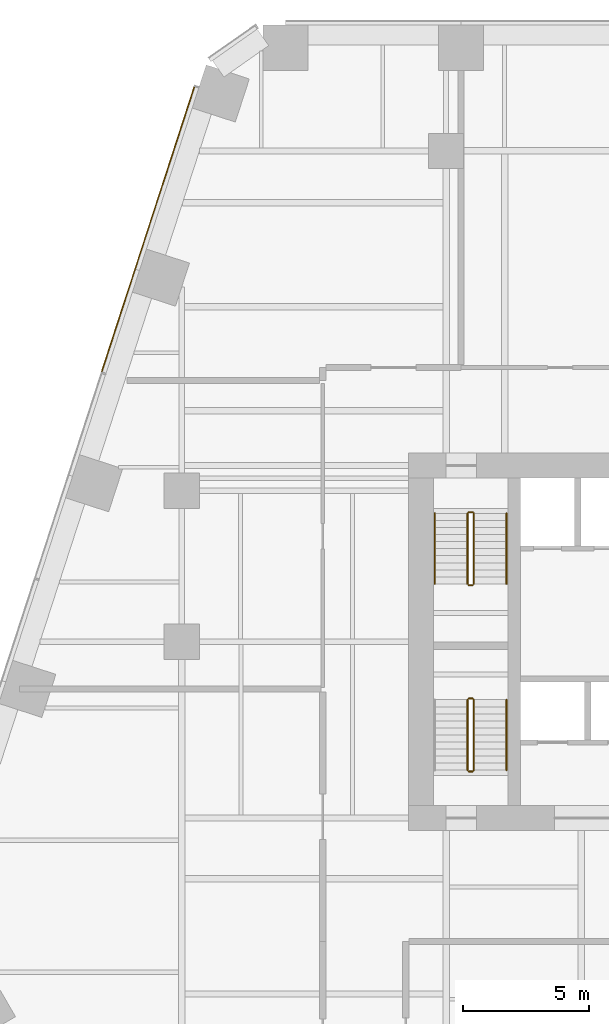
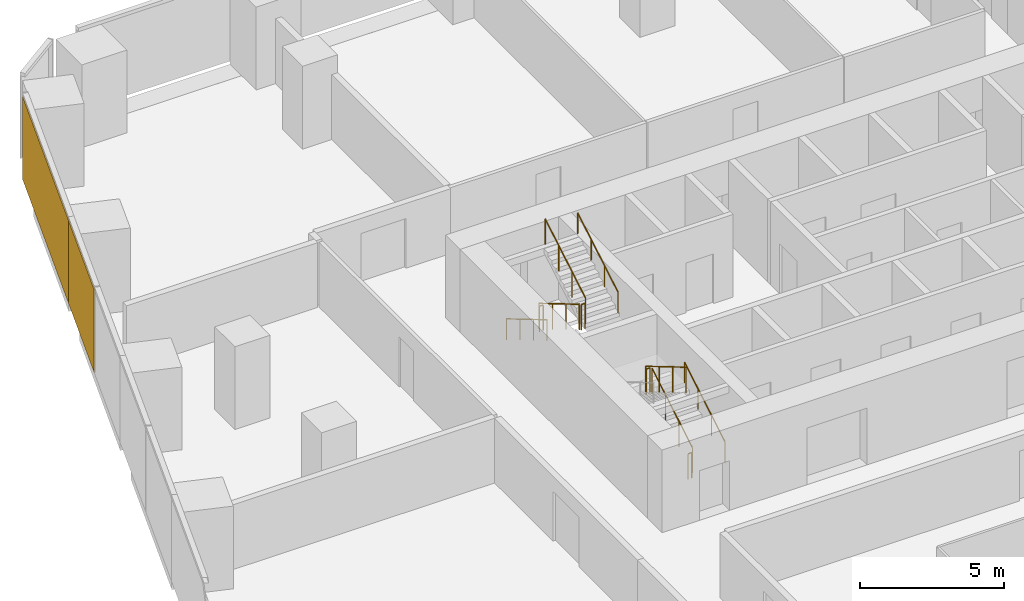
# One storey, part 18 of 20: 11 railings, 2 coverings, 1 element without a shape of its own.
"""IFC4 building model written with IfcOpenShell, lengths in metres."""

import ifcopenshell
import ifcopenshell.guid

model = None  # the IFC model being written
_history = None  # IfcOwnerHistory: only IFC2X3 demands one
_inside = {}  # id of a spatial element -> (the spatial element, [elements in it])
_under = {}  # id of a project, library or spatial element -> (it, [spatial elements below it])
_declared = {}  # id of a project -> (the project, [libraries it declares])
_typed = {}  # id of a type object -> (the type object, [elements of that type])
_made_of = {}  # id of a material, layer set ... -> (it, [elements and type objects made of it])


def new_model(schema):
    """Start an empty IFC model of exactly this schema.

    Asked for "IFC4X3", IfcOpenShell would pick the latest addendum, in which some entities
    have other attributes; the version numbers below select the first issue.
    IFC2X3 requires an IfcOwnerHistory on every rooted entity: one is made here for all.
    """
    global model, _history
    if schema == "IFC4X3":
        model = ifcopenshell.file(schema_version=(4, 3, 0, 0))
    else:
        model = ifcopenshell.file(schema=schema)
    _inside.clear()
    _under.clear()
    _declared.clear()
    _typed.clear()
    _made_of.clear()
    _history = None
    if model.schema == "IFC2X3":
        org = make("IfcOrganization", Name="unknown")
        user = make(
            "IfcPersonAndOrganization",
            ThePerson=make("IfcPerson", FamilyName="unknown"),
            TheOrganization=org,
        )
        app = make(
            "IfcApplication",
            ApplicationDeveloper=org,
            Version="unknown",
            ApplicationFullName="unknown",
            ApplicationIdentifier="unknown",
        )
        _history = make(
            "IfcOwnerHistory",
            OwningUser=user,
            OwningApplication=app,
            ChangeAction="ADDED",
            CreationDate=0,
        )
    return model


def make(cls, **values):
    """One entity of the class cls with the attributes given. An attribute that is None is left unset."""
    return model.create_entity(
        cls, **{name: value for name, value in values.items() if value is not None}
    )


def rooted(cls, **values):
    """An entity with a GlobalId (a new one), such as an element, a storey or a relation."""
    return make(cls, GlobalId=ifcopenshell.guid.new(), OwnerHistory=_history, **values)


def si_unit(unit_type, name, prefix=None):
    """IfcSIUnit, for example si_unit("LENGTHUNIT", "METRE", prefix="MILLI")."""
    return make("IfcSIUnit", UnitType=unit_type, Prefix=prefix, Name=name)


def assignment(units):
    """IfcUnitAssignment: the units of a project."""
    return None if units is None else make("IfcUnitAssignment", Units=units)


def point(xyz):
    """IfcCartesianPoint."""
    return None if xyz is None else make("IfcCartesianPoint", Coordinates=xyz)


def direction(xyz):
    """IfcDirection."""
    return None if xyz is None else make("IfcDirection", DirectionRatios=xyz)


def frame(location, z_axis=None, x_axis=None):
    """IfcAxis2Placement3D, a coordinate frame: its origin and axes. An axis left out is left unset."""
    return make(
        "IfcAxis2Placement3D",
        Location=point(location),
        Axis=direction(z_axis),
        RefDirection=direction(x_axis),
    )


def frame_2d(location, x_axis=None):
    """IfcAxis2Placement2D, a coordinate frame in the plane: its origin and x axis."""
    return make(
        "IfcAxis2Placement2D", Location=point(location), RefDirection=direction(x_axis)
    )


def origin():
    """The frame at (0, 0, 0) with its axes left unset."""
    return frame((0.0, 0.0, 0.0))


def origin_2d():
    """The frame at (0, 0) in the plane with its x axis left unset."""
    return frame_2d((0.0, 0.0))


def place(relative_to, where):
    """IfcLocalPlacement: puts the frame where relative to a parent placement (None: the world)."""
    return make(
        "IfcLocalPlacement", PlacementRelTo=relative_to, RelativePlacement=where
    )


def context(
    kind, dimensions, precision=None, world=None, true_north=None, identifier=None
):
    """IfcGeometricRepresentationContext, for example the 3D "Model" context."""
    return make(
        "IfcGeometricRepresentationContext",
        ContextIdentifier=identifier,
        ContextType=kind,
        CoordinateSpaceDimension=dimensions,
        Precision=precision,
        WorldCoordinateSystem=world,
        TrueNorth=true_north,
    )


def subcontext(parent, identifier, kind, view, scale=None):
    """IfcGeometricRepresentationSubContext, for example "Body" below "Model"."""
    return make(
        "IfcGeometricRepresentationSubContext",
        ContextIdentifier=identifier,
        ContextType=kind,
        ParentContext=parent,
        TargetScale=scale,
        TargetView=view,
    )


def project(units=None, contexts=None):
    """IfcProject with its units and contexts."""
    return rooted(
        "IfcProject",
        Name="project",
        RepresentationContexts=contexts,
        UnitsInContext=assignment(units),
    )


def spatial(cls, under=None, at=None, **own):
    """A site, building, storey or space (cls), placed at a placement, below another one or the project."""
    s = rooted(cls, ObjectPlacement=at, **own)
    if under is not None:
        _under.setdefault(under.id(), (under, []))[1].append(s)
    return s


def profile(cls, at=None, kind="AREA", **sizes):
    """A parametric profile (cls). Its sizes go by their IFC names, for example OverallWidth=200.0."""
    return make(cls, ProfileType=kind, Position=at, **sizes)


def rectangle(**sizes):
    """IfcRectangleProfileDef."""
    return profile("IfcRectangleProfileDef", **sizes)


def circle(**sizes):
    """IfcCircleProfileDef."""
    return profile("IfcCircleProfileDef", **sizes)


def extrude(swept, where, along, depth):
    """IfcExtrudedAreaSolid: the profile swept, set in the frame where, extruded along a direction by depth."""
    return make(
        "IfcExtrudedAreaSolid",
        SweptArea=swept,
        Position=where,
        ExtrudedDirection=direction(along),
        Depth=depth,
    )


def shape(context_of_items, identifier, shape_type, items):
    """IfcShapeRepresentation: the items that make up one representation, for example the "Body"."""
    return make(
        "IfcShapeRepresentation",
        ContextOfItems=context_of_items,
        RepresentationIdentifier=identifier,
        RepresentationType=shape_type,
        Items=items,
    )


def material(Name=None, Category=None):
    """IfcMaterial."""
    return make("IfcMaterial", Name=Name, Category=Category)


def layer(
    of_material, thickness, ventilated=None, Name=None, Category=None, Priority=None
):
    """IfcMaterialLayer: one layer of a wall or slab, of a material (None: an air gap)."""
    return make(
        "IfcMaterialLayer",
        Material=of_material,
        LayerThickness=thickness,
        IsVentilated=ventilated,
        Name=Name,
        Category=Category,
        Priority=Priority,
    )


def layer_set(layers, Name=None):
    """IfcMaterialLayerSet."""
    return make("IfcMaterialLayerSet", MaterialLayers=layers, LayerSetName=Name)


def made_of(thing, what):
    """Note that an element or type object is made of a material, layer set ...; save() writes the relation."""
    if what is not None:
        _made_of.setdefault(what.id(), (what, []))[1].append(thing)
    return thing


def type_object(cls, material=None, **own):
    """A type object (cls), such as IfcWallType, which elements share."""
    return made_of(rooted(cls, **own), material)


def element(
    cls,
    number,
    at=None,
    inside=None,
    cuts=None,
    type_object=None,
    material=None,
    context=None,
    identifier="Body",
    shape_type=None,
    held_by="IfcProductDefinitionShape",
    body=None,
    shapes=None,
    **own,
):
    """One element of the class cls, such as IfcWall. Its Tag is "e" and its number.

    at: its placement. inside: the storey or other place that contains it. cuts: it is an
    opening in that element (IfcRelVoidsElement). A single representation is given by context,
    identifier, shape_type and body (its items); several are given by shapes. held_by: the class
    of the entity that holds the representations. save() writes the other relations.
    """
    e = rooted(cls, Tag="e%d" % number, ObjectPlacement=at, **own)
    if body is not None:
        shapes = [shape(context, identifier, shape_type, body)]
    if shapes is not None:
        e.Representation = make(held_by, Representations=shapes)
    if inside is not None:
        _inside.setdefault(inside.id(), (inside, []))[1].append(e)
    if cuts is not None:
        rooted(
            "IfcRelVoidsElement", RelatingBuildingElement=cuts, RelatedOpeningElement=e
        )
    if type_object is not None:
        _typed.setdefault(type_object.id(), (type_object, []))[1].append(e)
    return made_of(e, material)


def aggregate(whole, parts):
    """IfcRelAggregates: a whole, such as a stair, and the parts it consists of."""
    return rooted("IfcRelAggregates", RelatingObject=whole, RelatedObjects=parts)


def save(model, path):
    """Write the relations noted so far, then the file.

    IfcRelAggregates (storeys below a building ...), IfcRelContainedInSpatialStructure (elements
    in a storey), IfcRelDefinesByType, IfcRelAssociatesMaterial and IfcRelDeclares: one each for
    every whole, place, type object, material and project.
    """
    for whole, parts in _under.values():
        aggregate(whole, parts)
    for where, things in _inside.values():
        rooted(
            "IfcRelContainedInSpatialStructure",
            RelatedElements=things,
            RelatingStructure=where,
        )
    for kind, things in _typed.values():
        rooted("IfcRelDefinesByType", RelatedObjects=things, RelatingType=kind)
    for what, things in _made_of.values():
        rooted("IfcRelAssociatesMaterial", RelatedObjects=things, RelatingMaterial=what)
    for by, libraries in _declared.values():
        rooted("IfcRelDeclares", RelatingContext=by, RelatedDefinitions=libraries)
    model.write(path)


model = new_model("IFC4")

# Units and contexts
model_context = context("Model", 3, precision=1e-05, world=origin(), true_north=direction((0.0, 1.0)))
body_context = subcontext(model_context, "Body", "Model", "MODEL_VIEW")
ifc_project = project(units=[si_unit("LENGTHUNIT", "METRE"), si_unit("AREAUNIT", "SQUARE_METRE"), si_unit("VOLUMEUNIT", "CUBIC_METRE"), si_unit("PLANEANGLEUNIT", "RADIAN"), si_unit("MASSUNIT", "GRAM", prefix="KILO")], contexts=[model_context])

# Site, building, storey
site_placement = place(None, origin())
site = spatial("IfcSite", under=ifc_project, at=site_placement, CompositionType="ELEMENT")
building_placement = place(site_placement, origin())
building = spatial("IfcBuilding", under=site, at=building_placement, Name="Isthmus Gate Tower", CompositionType="ELEMENT")
storey_placement = place(building_placement, frame((0.0, 0.0, 43.300048828125)))
storey = spatial("IfcBuildingStorey", under=building, at=storey_placement, Name="L08", CompositionType="ELEMENT", Elevation=43.300048828125)

# Curtain wall, coverings
ifc_material_1 = material(Name="Aluminium, pale champagne anodised", Category="aluminium")
ifc_layer_1 = layer(ifc_material_1, 0.199951171875)
ifc_layer_set_1 = layer_set([ifc_layer_1], Name="CW-1 UNITISED CURTAIN WALL 200 DEEP")
curtain_wall_type = type_object("IfcCurtainWallType", Name="CW-1 UNITISED CURTAIN WALL 200 DEEP", PredefinedType="NOTDEFINED", material=ifc_layer_set_1)
curtain_wall_placement = place(storey_placement, origin())
curtain_wall = element("IfcCurtainWall", 1, at=curtain_wall_placement, inside=storey, type_object=curtain_wall_type, Name="CW-1 NW L08", PredefinedType="NOTDEFINED")
ifc_material_2 = material(Name="Aluminium composite panel, pale champagne anodised", Category="aluminium")
ifc_layer_2 = layer(ifc_material_2, 0.0400390625)
ifc_layer_set_2 = layer_set([ifc_layer_2], Name="CW-1 PALE METAL PANEL 40")
covering_type = type_object("IfcCoveringType", Name="CW-1 PALE METAL PANEL 40", PredefinedType="CLADDING", material=ifc_layer_set_2)
covering_1_placement = place(storey_placement, frame((-24.67578125, 25.9296875, 0.0), z_axis=(0.0, 0.0, 1.0), x_axis=(-0.309016994375, -0.951056516295, 0.0)))
covering_1 = element("IfcCovering", 2, at=covering_1_placement, type_object=covering_type, Name="CW-1 pale metal panel", PredefinedType="CLADDING", context=body_context, shape_type="SweptSolid", body=[
    extrude(rectangle(XDim=7.62939453125, YDim=0.0400390625, at=origin_2d()), origin(), (0.0, 0.0, 1.0), 3.5),
])
covering_2_placement = place(storey_placement, frame((-26.51806640625, 20.25927734375, 0.0), z_axis=(0.0, 0.0, 1.0), x_axis=(-0.309016994375, -0.951056516295, 0.0)))
covering_2 = element("IfcCovering", 3, at=covering_2_placement, type_object=covering_type, Name="CW-1 pale metal panel", PredefinedType="CLADDING", context=body_context, shape_type="SweptSolid", body=[
    extrude(rectangle(XDim=4.294677734375, YDim=0.0400390625, at=origin_2d()), origin(), (0.0, 0.0, 1.0), 3.5),
])
aggregate(curtain_wall, [covering_1, covering_2])

# Railings
ifc_material_3 = material(Name="Stainless steel balustrade", Category="steel")
railing_type_1 = type_object("IfcRailingType", Name="STAIR GUARD 1100", PredefinedType="GUARDRAIL", material=ifc_material_3)
railing_1_placement = place(storey_placement, frame((-12.64990234375, 12.60009765625, 0.165771484375)))
element("IfcRailing", 4, at=railing_1_placement, inside=storey, type_object=railing_type_1, Name="L08 ST1 stair guard 1", PredefinedType="GUARDRAIL", context=body_context, shape_type="SweptSolid", body=[
    extrude(circle(Radius=0.02392578125, at=origin_2d()), frame((0.0, 0.0, 1.076171875), z_axis=(0.0, -0.860306154799, 0.50977771628), x_axis=(1.0, 0.0, 0.0)), (0.0, 0.0, 1.0), 3.254638671875),
    extrude(circle(Radius=0.02099609375, at=origin_2d()), origin(), (0.0, 0.0, 1.0), 1.052001953125),
    extrude(circle(Radius=0.02099609375, at=origin_2d()), frame((0.0, -0.933349609375, 0.552978515625)), (0.0, 0.0, 1.0), 1.052001953125),
    extrude(circle(Radius=0.02099609375, at=origin_2d()), frame((0.0, -1.86669921875, 1.106201171875)), (0.0, 0.0, 1.0), 1.052001953125),
    extrude(circle(Radius=0.02099609375, at=origin_2d()), frame((0.0, -2.800048828125, 1.6591796875)), (0.0, 0.0, 1.0), 1.052001953125),
])
railing_2_placement = place(storey_placement, frame((-12.60009765625, 9.75, 1.824951171875)))
element("IfcRailing", 5, at=railing_2_placement, inside=storey, type_object=railing_type_1, Name="L08 ST1 stair guard 2", PredefinedType="GUARDRAIL", context=body_context, shape_type="SweptSolid", body=[
    extrude(circle(Radius=0.02392578125, at=origin_2d()), frame((0.0, 0.0, 1.076171875), z_axis=(1.0, 0.0, 0.0), x_axis=(0.0, 1.0, 0.0)), (0.0, 0.0, 1.0), 0.150146484375),
    extrude(circle(Radius=0.02099609375, at=origin_2d()), origin(), (0.0, 0.0, 1.0), 1.052001953125),
    extrude(circle(Radius=0.02099609375, at=origin_2d()), frame((0.150146484375, 0.0, 0.0)), (0.0, 0.0, 1.0), 1.052001953125),
])
railing_3_placement = place(storey_placement, frame((-12.39990234375, 9.800048828125, 1.990966796875)))
element("IfcRailing", 6, at=railing_3_placement, inside=storey, type_object=railing_type_1, Name="L08 ST1 stair guard 3", PredefinedType="GUARDRAIL", context=body_context, shape_type="SweptSolid", body=[
    extrude(circle(Radius=0.02392578125, at=origin_2d()), frame((0.0, 0.0, 1.076171875), z_axis=(0.0, 0.860339051648, 0.50972219513), x_axis=(-1.0, 0.0, 0.0)), (0.0, 0.0, 1.0), 3.254638671875),
    extrude(circle(Radius=0.02099609375, at=origin_2d()), origin(), (0.0, 0.0, 1.0), 1.052001953125),
    extrude(circle(Radius=0.02099609375, at=origin_2d()), frame((0.0, 0.933349609375, 0.552978515625)), (0.0, 0.0, 1.0), 1.052001953125),
    extrude(circle(Radius=0.02099609375, at=origin_2d()), frame((0.0, 1.86669921875, 1.10595703125)), (0.0, 0.0, 1.0), 1.052001953125),
    extrude(circle(Radius=0.02099609375, at=origin_2d()), frame((0.0, 2.800048828125, 1.658935546875)), (0.0, 0.0, 1.0), 1.052001953125),
])
railing_4_placement = place(storey_placement, frame((-12.60009765625, 12.64990234375, 0.0)))
element("IfcRailing", 7, at=railing_4_placement, inside=storey, type_object=railing_type_1, Name="L08 ST1 stair guard 4", PredefinedType="GUARDRAIL", context=body_context, shape_type="SweptSolid", body=[
    extrude(circle(Radius=0.02392578125, at=origin_2d()), frame((0.0, 0.0, 1.076171875), z_axis=(1.0, 0.0, 0.0), x_axis=(0.0, 1.0, 0.0)), (0.0, 0.0, 1.0), 0.150146484375),
    extrude(circle(Radius=0.02099609375, at=origin_2d()), origin(), (0.0, 0.0, 1.0), 1.052001953125),
    extrude(circle(Radius=0.02099609375, at=origin_2d()), frame((0.150146484375, 0.0, 0.0)), (0.0, 0.0, 1.0), 1.052001953125),
])
railing_5_placement = place(storey_placement, frame((-12.39990234375, 2.39990234375, 0.165771484375)))
element("IfcRailing", 8, at=railing_5_placement, inside=storey, type_object=railing_type_1, Name="L08 ST7 stair guard 1", PredefinedType="GUARDRAIL", context=body_context, shape_type="SweptSolid", body=[
    extrude(circle(Radius=0.02392578125, at=origin_2d()), frame((0.0, 0.0, 1.076171875), z_axis=(0.0, 0.860306154799, 0.50977771628), x_axis=(-1.0, 0.0, 0.0)), (0.0, 0.0, 1.0), 3.254638671875),
    extrude(circle(Radius=0.02099609375, at=origin_2d()), origin(), (0.0, 0.0, 1.0), 1.052001953125),
    extrude(circle(Radius=0.02099609375, at=origin_2d()), frame((0.0, 0.933349609375, 0.552978515625)), (0.0, 0.0, 1.0), 1.052001953125),
    extrude(circle(Radius=0.02099609375, at=origin_2d()), frame((0.0, 1.86669921875, 1.106201171875)), (0.0, 0.0, 1.0), 1.052001953125),
    extrude(circle(Radius=0.02099609375, at=origin_2d()), frame((0.0, 2.800048828125, 1.6591796875)), (0.0, 0.0, 1.0), 1.052001953125),
])
railing_6_placement = place(storey_placement, frame((-12.449951171875, 5.25, 1.824951171875)))
element("IfcRailing", 9, at=railing_6_placement, inside=storey, type_object=railing_type_1, Name="L08 ST7 stair guard 2", PredefinedType="GUARDRAIL", context=body_context, shape_type="SweptSolid", body=[
    extrude(circle(Radius=0.02392578125, at=origin_2d()), frame((0.0, 0.0, 1.076171875), z_axis=(-1.0, 0.0, 0.0), x_axis=(0.0, -1.0, 0.0)), (0.0, 0.0, 1.0), 0.150146484375),
    extrude(circle(Radius=0.02099609375, at=origin_2d()), origin(), (0.0, 0.0, 1.0), 1.052001953125),
    extrude(circle(Radius=0.02099609375, at=origin_2d()), frame((-0.150146484375, 0.0, 0.0)), (0.0, 0.0, 1.0), 1.052001953125),
])
railing_7_placement = place(storey_placement, frame((-12.64990234375, 5.199951171875, 1.990966796875)))
element("IfcRailing", 10, at=railing_7_placement, inside=storey, type_object=railing_type_1, Name="L08 ST7 stair guard 3", PredefinedType="GUARDRAIL", context=body_context, shape_type="SweptSolid", body=[
    extrude(circle(Radius=0.02392578125, at=origin_2d()), frame((0.0, 0.0, 1.076171875), z_axis=(0.0, -0.860339051648, 0.50972219513), x_axis=(1.0, 0.0, 0.0)), (0.0, 0.0, 1.0), 3.254638671875),
    extrude(circle(Radius=0.02099609375, at=origin_2d()), origin(), (0.0, 0.0, 1.0), 1.052001953125),
    extrude(circle(Radius=0.02099609375, at=origin_2d()), frame((0.0, -0.933349609375, 0.552978515625)), (0.0, 0.0, 1.0), 1.052001953125),
    extrude(circle(Radius=0.02099609375, at=origin_2d()), frame((0.0, -1.86669921875, 1.10595703125)), (0.0, 0.0, 1.0), 1.052001953125),
    extrude(circle(Radius=0.02099609375, at=origin_2d()), frame((0.0, -2.800048828125, 1.658935546875)), (0.0, 0.0, 1.0), 1.052001953125),
])
railing_8_placement = place(storey_placement, frame((-12.449951171875, 2.35009765625, 0.0)))
element("IfcRailing", 11, at=railing_8_placement, inside=storey, type_object=railing_type_1, Name="L08 ST7 stair guard 4", PredefinedType="GUARDRAIL", context=body_context, shape_type="SweptSolid", body=[
    extrude(circle(Radius=0.02392578125, at=origin_2d()), frame((0.0, 0.0, 1.076171875), z_axis=(-1.0, 0.0, 0.0), x_axis=(0.0, -1.0, 0.0)), (0.0, 0.0, 1.0), 0.150146484375),
    extrude(circle(Radius=0.02099609375, at=origin_2d()), origin(), (0.0, 0.0, 1.0), 1.052001953125),
    extrude(circle(Radius=0.02099609375, at=origin_2d()), frame((-0.150146484375, 0.0, 0.0)), (0.0, 0.0, 1.0), 1.052001953125),
])
ifc_material_4 = material(Name="Stainless steel handrail", Category="steel")
railing_type_2 = type_object("IfcRailingType", Name="STAIR HANDRAIL 900", PredefinedType="HANDRAIL", material=ifc_material_4)
railing_9_placement = place(storey_placement, frame((-13.949951171875, 12.60009765625, 0.165771484375)))
element("IfcRailing", 12, at=railing_9_placement, inside=storey, type_object=railing_type_2, Name="L08 ST1 stair handrail 1", PredefinedType="HANDRAIL", context=body_context, shape_type="SweptSolid", body=[
    extrude(circle(Radius=0.02392578125, at=origin_2d()), frame((0.0, 0.0, 0.8759765625), z_axis=(0.0, -0.860306154799, 0.50977771628), x_axis=(1.0, 0.0, 0.0)), (0.0, 0.0, 1.0), 3.254638671875),
    extrude(circle(Radius=0.02099609375, at=origin_2d()), origin(), (0.0, 0.0, 1.0), 0.851806640625),
    extrude(circle(Radius=0.02099609375, at=origin_2d()), frame((0.0, -0.933349609375, 0.552978515625)), (0.0, 0.0, 1.0), 0.851806640625),
    extrude(circle(Radius=0.02099609375, at=origin_2d()), frame((0.0, -1.86669921875, 1.106201171875)), (0.0, 0.0, 1.0), 0.851806640625),
    extrude(circle(Radius=0.02099609375, at=origin_2d()), frame((0.0, -2.800048828125, 1.6591796875)), (0.0, 0.0, 1.0), 0.851806640625),
])
railing_10_placement = place(storey_placement, frame((-11.10009765625, 9.800048828125, 1.990966796875)))
element("IfcRailing", 13, at=railing_10_placement, inside=storey, type_object=railing_type_2, Name="L08 ST1 stair handrail 2", PredefinedType="HANDRAIL", context=body_context, shape_type="SweptSolid", body=[
    extrude(circle(Radius=0.02392578125, at=origin_2d()), frame((0.0, 0.0, 0.8759765625), z_axis=(0.0, 0.860339051648, 0.50972219513), x_axis=(-1.0, 0.0, 0.0)), (0.0, 0.0, 1.0), 3.254638671875),
    extrude(circle(Radius=0.02099609375, at=origin_2d()), origin(), (0.0, 0.0, 1.0), 0.851806640625),
    extrude(circle(Radius=0.02099609375, at=origin_2d()), frame((0.0, 0.933349609375, 0.552978515625)), (0.0, 0.0, 1.0), 0.851806640625),
    extrude(circle(Radius=0.02099609375, at=origin_2d()), frame((0.0, 1.86669921875, 1.10595703125)), (0.0, 0.0, 1.0), 0.851806640625),
    extrude(circle(Radius=0.02099609375, at=origin_2d()), frame((0.0, 2.800048828125, 1.658935546875)), (0.0, 0.0, 1.0), 0.851806640625),
])
railing_11_placement = place(storey_placement, frame((-11.10009765625, 2.39990234375, 0.165771484375)))
element("IfcRailing", 14, at=railing_11_placement, inside=storey, type_object=railing_type_2, Name="L08 ST7 stair handrail 1", PredefinedType="HANDRAIL", context=body_context, shape_type="SweptSolid", body=[
    extrude(circle(Radius=0.02392578125, at=origin_2d()), frame((0.0, 0.0, 0.8759765625), z_axis=(0.0, 0.860306154799, 0.50977771628), x_axis=(-1.0, 0.0, 0.0)), (0.0, 0.0, 1.0), 3.254638671875),
    extrude(circle(Radius=0.02099609375, at=origin_2d()), origin(), (0.0, 0.0, 1.0), 0.851806640625),
    extrude(circle(Radius=0.02099609375, at=origin_2d()), frame((0.0, 0.933349609375, 0.552978515625)), (0.0, 0.0, 1.0), 0.851806640625),
    extrude(circle(Radius=0.02099609375, at=origin_2d()), frame((0.0, 1.86669921875, 1.106201171875)), (0.0, 0.0, 1.0), 0.851806640625),
    extrude(circle(Radius=0.02099609375, at=origin_2d()), frame((0.0, 2.800048828125, 1.6591796875)), (0.0, 0.0, 1.0), 0.851806640625),
])

save(model, "model.ifc")
